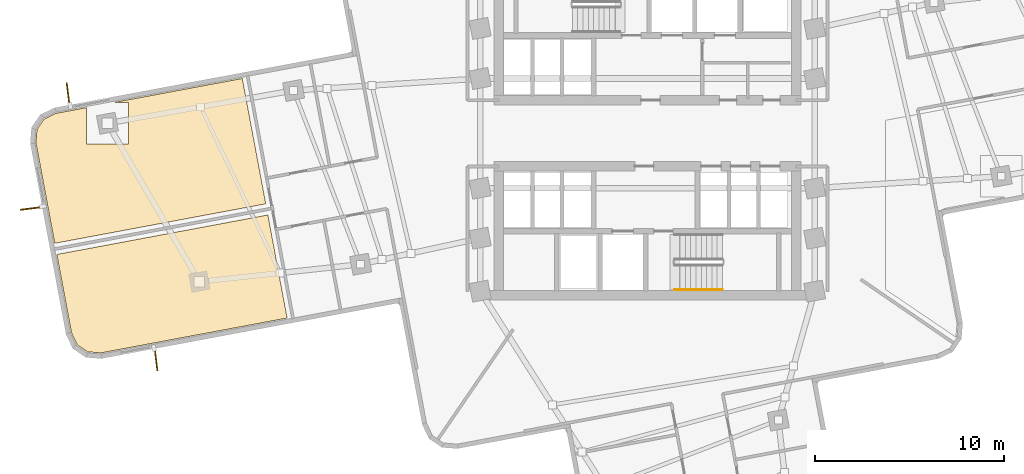
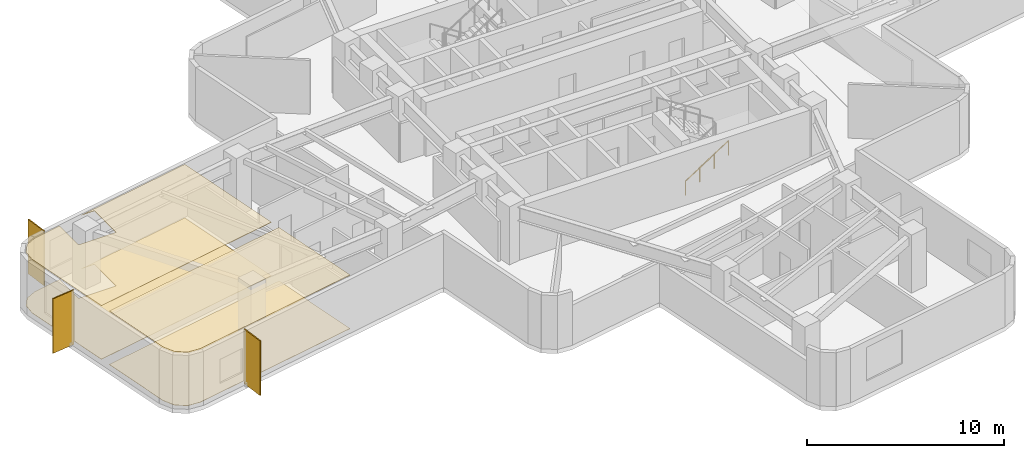
# One storey, part 7 of 9: 4 coverings, 3 shading devices, 1 railing.
"""IFC4 building model written with IfcOpenShell, lengths in metres."""

from ifc_helpers import new_model, si_unit, direction, frame, origin, origin_2d, place, context, subcontext, project, spatial, polyline, rectangle, circle, outline, extrude, material, layer, layer_set, type_object, element, save


model = new_model("IFC4")

# Units and contexts
model_context = context("Model", 3, precision=1e-05, world=origin(), true_north=direction((0.0, 1.0)))
body_context = subcontext(model_context, "Body", "Model", "MODEL_VIEW")
ifc_project = project(units=[si_unit("LENGTHUNIT", "METRE"), si_unit("AREAUNIT", "SQUARE_METRE"), si_unit("VOLUMEUNIT", "CUBIC_METRE"), si_unit("PLANEANGLEUNIT", "RADIAN"), si_unit("MASSUNIT", "GRAM", prefix="KILO")], contexts=[model_context])

# Site, building, storey
site_placement = place(None, origin())
site = spatial("IfcSite", under=ifc_project, at=site_placement, CompositionType="ELEMENT")
building_placement = place(site_placement, origin())
building = spatial("IfcBuilding", under=site, at=building_placement, Name="Solmarez Civic Tower", CompositionType="ELEMENT")
storey_placement = place(building_placement, frame((0.0, 0.0, 100.080078125)))
storey = spatial("IfcBuildingStorey", under=building, at=storey_placement, Name="L26", CompositionType="ELEMENT", Elevation=100.080078125)

# Coverings
ifc_material_1 = material(Name="Perforated Mineral-Fibre Acoustic Ceiling")
ifc_layer_1 = layer(ifc_material_1, 0.02490234375)
ifc_layer_set_1 = layer_set([ifc_layer_1], Name="Perforated Mineral-Fibre Acoustic Ceiling")
covering_type_1 = type_object("IfcCoveringType", Name="COV-CEIL-ACOUSTIC", PredefinedType="CEILING", material=ifc_layer_set_1)
covering_1_placement = place(storey_placement, frame((0.0, 0.0, 3.31494140625)))
element("IfcCovering", 1, at=covering_1_placement, inside=storey, type_object=covering_type_1, Name="L26 Suspended Acoustic Ceiling 2", PredefinedType="CEILING", context=body_context, shape_type="SweptSolid", body=[
    extrude(outline(polyline([(-21.44091796875, 2.905029296875), (-28.239013671875, 1.633056640625), (-27.47607421875, 1.633056640625), (-27.47607421875, -0.56689453125), (-29.676025390625, -0.56689453125), (-29.676025390625, 1.364013671875), (-31.2900390625, 1.06201171875), (-31.928955078125, 0.756103515625), (-32.305908203125, 0.205078125), (-32.360107421875, -0.5009765625), (-31.364990234375, -5.819091796875), (-20.198974609375, -3.72900390625), (-21.44091796875, 2.905029296875)])), origin(), (0.0, 0.0, 1.0), 0.02490234375),
])
covering_2_placement = place(storey_placement, frame((0.0, 0.0, 3.31494140625)))
element("IfcCovering", 2, at=covering_2_placement, inside=storey, type_object=covering_type_1, Name="L26 Suspended Acoustic Ceiling 5", PredefinedType="CEILING", context=body_context, shape_type="SweptSolid", body=[
    extrude(outline(polyline([(-31.25390625, -6.408935546875), (-30.47998046875, -10.547119140625), (-30.174072265625, -11.18603515625), (-29.623046875, -11.56298828125), (-28.9169921875, -11.616943359375), (-19.068115234375, -9.77392578125), (-20.089111328125, -4.319091796875), (-31.25390625, -6.408935546875)])), origin(), (0.0, 0.0, 1.0), 0.02490234375),
])
ifc_material_2 = material(Name="Polished Tropical Stone Terrazzo Flooring", Category="masonry")
ifc_layer_2 = layer(ifc_material_2, 0.02001953125)
ifc_layer_set_2 = layer_set([ifc_layer_2], Name="Polished Tropical Stone Terrazzo Flooring")
covering_type_2 = type_object("IfcCoveringType", Name="COV-FLOOR-TERRAZZO", PredefinedType="FLOORING", material=ifc_layer_set_2)
covering_3_placement = place(storey_placement, origin())
element("IfcCovering", 3, at=covering_3_placement, inside=storey, type_object=covering_type_2, Name="L26 Terrazzo Floor Finish 2", PredefinedType="FLOORING", context=body_context, shape_type="SweptSolid", body=[
    extrude(outline(polyline([(-21.44091796875, 2.905029296875), (-28.239013671875, 1.633056640625), (-27.47607421875, 1.633056640625), (-27.47607421875, -0.56689453125), (-29.676025390625, -0.56689453125), (-29.676025390625, 1.364013671875), (-31.2900390625, 1.06201171875), (-31.928955078125, 0.756103515625), (-32.305908203125, 0.205078125), (-32.360107421875, -0.5009765625), (-31.364990234375, -5.819091796875), (-20.198974609375, -3.72900390625), (-21.44091796875, 2.905029296875)])), origin(), (0.0, 0.0, 1.0), 0.02001953125),
])
covering_4_placement = place(storey_placement, origin())
element("IfcCovering", 4, at=covering_4_placement, inside=storey, type_object=covering_type_2, Name="L26 Terrazzo Floor Finish 5", PredefinedType="FLOORING", context=body_context, shape_type="SweptSolid", body=[
    extrude(outline(polyline([(-31.25390625, -6.408935546875), (-30.47998046875, -10.547119140625), (-30.174072265625, -11.18603515625), (-29.623046875, -11.56298828125), (-28.9169921875, -11.616943359375), (-19.068115234375, -9.77392578125), (-20.089111328125, -4.319091796875), (-31.25390625, -6.408935546875)])), origin(), (0.0, 0.0, 1.0), 0.02001953125),
])

# Shading devices
ifc_material_3 = material(Name="Bronze Anodised Aluminium EN AW-6063 T6", Category="aluminium")
ifc_layer_3 = layer(ifc_material_3, 0.06494140625)
ifc_layer_set_3 = layer_set([ifc_layer_3], Name="Bronze Anodised Aluminium EN AW-6063 T6")
shading_device_type = type_object("IfcShadingDeviceType", Name="FIN-BRONZE-Z12", PredefinedType="USERDEFINED", material=ifc_layer_set_3)
for number, where, z_axis, x_axis, name in (
    (5, (-26.01611328125, -11.89306640625, -0.0400390625), (0.0, 0.0, 1.0), (0.124294224947, -0.992245405958, 0.0), "L26 Anodised Bronze Solar Fin FIN-L26-01"),
    (6, (-32.531005859375, -3.962890625, -0.0400390625), (0.0, 0.0, 1.0), (-0.992258416578, -0.12419031657, 0.0), "L26 Anodised Bronze Solar Fin FIN-L26-02"),
    (7, (-30.64990234375, 2.0009765625, -0.0400390625), (0.0, 0.0, 1.0), (-0.124294224947, 0.992245405958, 0.0), "L26 Anodised Bronze Solar Fin FIN-L26-03"),
):
    element("IfcShadingDevice", number, at=place(storey_placement, frame(where, z_axis=z_axis, x_axis=x_axis)), inside=storey, type_object=shading_device_type, Name=name, ObjectType="FIN", PredefinedType="USERDEFINED", context=body_context, shape_type="SweptSolid", body=[
        extrude(rectangle(XDim=1.35009765625, YDim=0.06494140625, at=origin_2d()), origin(), (0.0, 0.0, 1.0), 3.3798828125),
    ])

# Railing
ifc_material_4 = material(Name="Brushed Stainless Steel Tube Handrail", Category="steel")
railing_type = type_object("IfcRailingType", Name="HANDRAIL-STAIR-900", PredefinedType="HANDRAIL", material=ifc_material_4)
railing_placement = place(storey_placement, frame((1.449951171875, -8.27001953125, 0.179931640625)))
element("IfcRailing", 8, at=railing_placement, inside=storey, type_object=railing_type, Name="L26 ST-2 stair handrail 1", PredefinedType="HANDRAIL", context=body_context, shape_type="SweptSolid", body=[
    extrude(circle(Radius=0.02392578125, at=origin_2d()), frame((0.0, 0.0, 0.8759765625), z_axis=(0.841199657755, 0.0, 0.540724639528), x_axis=(0.0, 1.0, 0.0)), (0.0, 0.0, 1.0), 2.995849609375),
    extrude(circle(Radius=0.02099609375, at=origin_2d()), origin(), (0.0, 0.0, 1.0), 0.851806640625),
    extrude(circle(Radius=0.02099609375, at=origin_2d()), frame((0.840087890625, 0.0, 0.5400390625)), (0.0, 0.0, 1.0), 0.851806640625),
    extrude(circle(Radius=0.02099609375, at=origin_2d()), frame((1.679931640625, 0.0, 1.079833984375)), (0.0, 0.0, 1.0), 0.851806640625),
    extrude(circle(Radius=0.02099609375, at=origin_2d()), frame((2.52001953125, 0.0, 1.619873046875)), (0.0, 0.0, 1.0), 0.851806640625),
])

save(model, "model.ifc")
